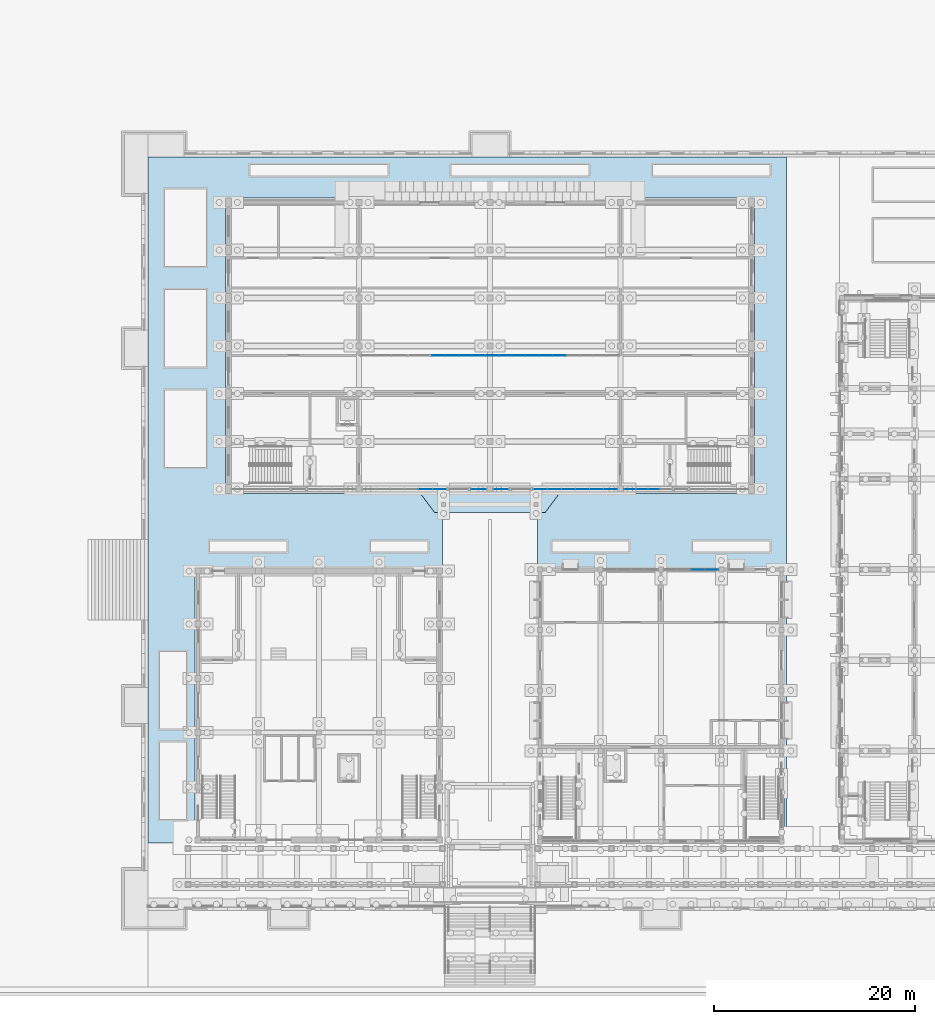
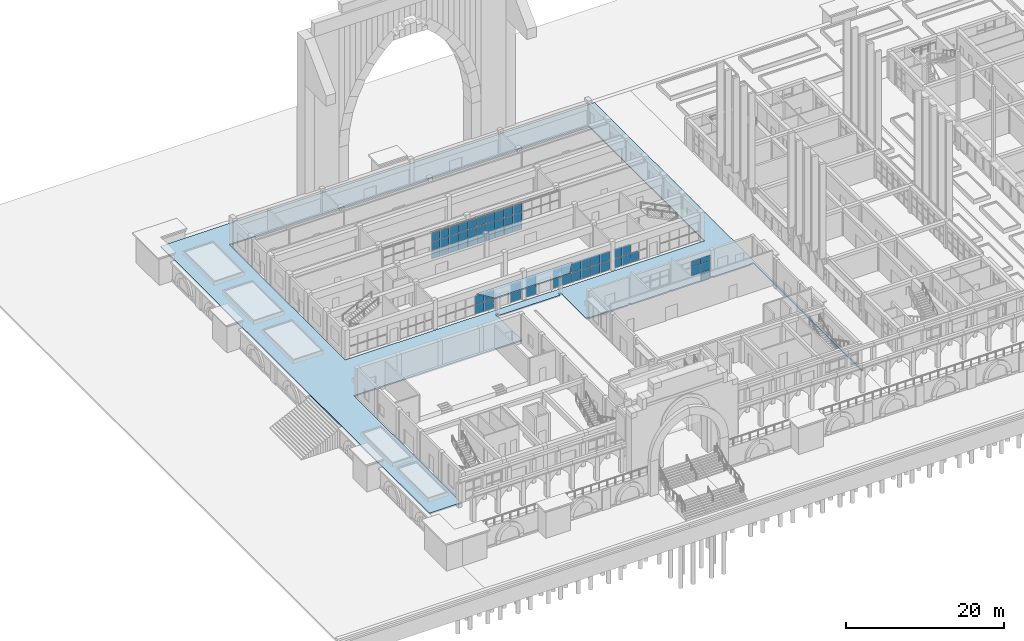
# One storey, part 42 of 161: 60 plates, 2 slabs, 7 elements without a shape of their own.
"""IFC4 building model written with IfcOpenShell, lengths in metres."""

from ifc_helpers import new_model, si_unit, direction, frame, origin, origin_2d, place, context, subcontext, project, spatial, polyline, rectangle, outline, extrude, material, layer, layer_set, type_object, element, aggregate, save


model = new_model("IFC4")

# Units and contexts
model_context = context("Model", 3, precision=1e-05, world=origin(), true_north=direction((0.0, 1.0)))
body_context = subcontext(model_context, "Body", "Model", "MODEL_VIEW")
ifc_project = project(units=[si_unit("LENGTHUNIT", "METRE"), si_unit("AREAUNIT", "SQUARE_METRE"), si_unit("VOLUMEUNIT", "CUBIC_METRE"), si_unit("PLANEANGLEUNIT", "RADIAN"), si_unit("MASSUNIT", "GRAM", prefix="KILO")], contexts=[model_context])

# Site, building, storey
site_placement = place(None, origin())
site = spatial("IfcSite", under=ifc_project, at=site_placement, CompositionType="ELEMENT")
building_placement = place(site_placement, origin())
building = spatial("IfcBuilding", under=site, at=building_placement, Name="Elbe Cascade School", CompositionType="ELEMENT")
storey_placement = place(building_placement, origin())
storey = spatial("IfcBuildingStorey", under=building, at=storey_placement, Name="L00", CompositionType="ELEMENT", Elevation=0.0)

# Curtain wall, plates
ifc_material_1 = material(Name="Dining curtain wall")
curtain_wall_type_1 = type_object("IfcCurtainWallType", Name="Dining curtain wall", PredefinedType="NOTDEFINED", material=ifc_material_1)
curtain_wall_1_placement = place(storey_placement, origin())
curtain_wall_1 = element("IfcCurtainWall", 1, at=curtain_wall_1_placement, inside=storey, type_object=curtain_wall_type_1, Name="Curtain wall CW2 DI.L00.cw.hn2", PredefinedType="NOTDEFINED")
ifc_material_2 = material(Name="Glass - double glazed low-E", Category="glass")
ifc_layer_1 = layer(ifc_material_2, 0.028076171875)
ifc_layer_set_1 = layer_set([ifc_layer_1], Name="Glass - double glazed low-E")
plate_type_1 = type_object("IfcPlateType", Name="Dining curtain wall glazing panel 28", PredefinedType="CURTAIN_PANEL", material=ifc_layer_set_1)
plate_1_placement = place(storey_placement, frame((54.6875, 33.0, 1.3798828125), z_axis=(0.0, 0.0, 1.0), x_axis=(1.0, 0.0, 0.0)))
plate_1 = element("IfcPlate", 2, at=plate_1_placement, type_object=plate_type_1, Name="CW2 panel 3.2", PredefinedType="CURTAIN_PANEL", context=body_context, shape_type="SweptSolid", body=[
    extrude(rectangle(XDim=1.31494140625, YDim=0.028076171875, at=origin_2d()), origin(), (0.0, 0.0, 1.0), 1.2900390625),
])
plate_2_placement = place(storey_placement, frame((54.6875, 33.0, 2.72998046875), z_axis=(0.0, 0.0, 1.0), x_axis=(1.0, 0.0, 0.0)))
plate_2 = element("IfcPlate", 3, at=plate_2_placement, type_object=plate_type_1, Name="CW2 panel 3.3", PredefinedType="CURTAIN_PANEL", context=body_context, shape_type="SweptSolid", body=[
    extrude(rectangle(XDim=1.31494140625, YDim=0.028076171875, at=origin_2d()), origin(), (0.0, 0.0, 1.0), 0.909912109375),
])
plate_3_placement = place(storey_placement, frame((56.047607421875, 33.0, 0.06005859375), z_axis=(0.0, 0.0, 1.0), x_axis=(1.0, 0.0, 0.0)))
plate_3 = element("IfcPlate", 4, at=plate_3_placement, type_object=plate_type_1, Name="CW2 panel 4.1", PredefinedType="CURTAIN_PANEL", context=body_context, shape_type="SweptSolid", body=[
    extrude(rectangle(XDim=1.284912109375, YDim=0.028076171875, at=origin_2d()), origin(), (0.0, 0.0, 1.0), 1.260009765625),
])
plate_4_placement = place(storey_placement, frame((56.047607421875, 33.0, 1.3798828125), z_axis=(0.0, 0.0, 1.0), x_axis=(1.0, 0.0, 0.0)))
plate_4 = element("IfcPlate", 5, at=plate_4_placement, type_object=plate_type_1, Name="CW2 panel 4.2", PredefinedType="CURTAIN_PANEL", context=body_context, shape_type="SweptSolid", body=[
    extrude(rectangle(XDim=1.284912109375, YDim=0.028076171875, at=origin_2d()), origin(), (0.0, 0.0, 1.0), 1.2900390625),
])
plate_5_placement = place(storey_placement, frame((56.047607421875, 33.0, 2.72998046875), z_axis=(0.0, 0.0, 1.0), x_axis=(1.0, 0.0, 0.0)))
plate_5 = element("IfcPlate", 6, at=plate_5_placement, type_object=plate_type_1, Name="CW2 panel 4.3", PredefinedType="CURTAIN_PANEL", context=body_context, shape_type="SweptSolid", body=[
    extrude(rectangle(XDim=1.284912109375, YDim=0.028076171875, at=origin_2d()), origin(), (0.0, 0.0, 1.0), 0.909912109375),
])
aggregate(curtain_wall_1, [plate_1, plate_2, plate_3, plate_4, plate_5])

# Slab
ifc_material_3 = material(Name="Concrete C30/37", Category="concrete")
ifc_layer_2 = layer(ifc_material_3, 0.199951171875)
ifc_layer_set_2 = layer_set([ifc_layer_2], Name="Concrete C30/37")
slab_type_1 = type_object("IfcSlabType", Name="Hall entrance canopy slab Concrete C30/37", PredefinedType="ROOF", material=ifc_layer_set_2)
slab_1_placement = place(storey_placement, frame((0.0, 0.0, 3.199951171875)))
element("IfcSlab", 7, at=slab_1_placement, inside=storey, type_object=slab_type_1, Name="Entrance canopy slab", PredefinedType="ROOF", context=body_context, shape_type="SweptSolid", body=[
    extrude(outline(polyline([(27.0, 40.699951171875), (41.0, 40.699951171875), (39.5, 38.699951171875), (28.5, 38.699951171875), (27.0, 40.699951171875)])), origin(), (0.0, 0.0, 1.0), 0.199951171875),
])

# Curtain wall, plates
ifc_material_4 = material(Name="Glass - double glazed low-E", Category="glass")
curtain_wall_type_2 = type_object("IfcCurtainWallType", Name="Hall gable curtain wall", PredefinedType="NOTDEFINED", material=ifc_material_4)
curtain_wall_2_placement = place(storey_placement, origin())
curtain_wall_2 = element("IfcCurtainWall", 8, at=curtain_wall_2_placement, inside=storey, type_object=curtain_wall_type_2, Name="Entrance front curtain wall 3", PredefinedType="NOTDEFINED")
ifc_material_5 = material(Name="Glass - double glazed low-E", Category="glass")
ifc_layer_3 = layer(ifc_material_5, 0.028076171875)
ifc_layer_set_3 = layer_set([ifc_layer_3], Name="Glass - double glazed low-E")
plate_type_2 = type_object("IfcPlateType", Name="Hall gable glass panel", PredefinedType="CURTAIN_PANEL", material=ifc_layer_set_3)
plate_6_placement = place(storey_placement, frame((27.60009765625, 41.0, 0.06005859375), z_axis=(0.0, 0.0, 1.0), x_axis=(1.0, 0.0, 0.0)))
plate_6 = element("IfcPlate", 9, at=plate_6_placement, type_object=plate_type_2, Name="CW6 panel 5.1", PredefinedType="CURTAIN_PANEL", context=body_context, shape_type="SweptSolid", body=[
    extrude(rectangle(XDim=1.340087890625, YDim=0.028076171875, at=origin_2d()), origin(), (0.0, 0.0, 1.0), 1.43505859375),
])
plate_7_placement = place(storey_placement, frame((27.60009765625, 41.0, 1.554931640625), z_axis=(0.0, 0.0, 1.0), x_axis=(1.0, 0.0, 0.0)))
plate_7 = element("IfcPlate", 10, at=plate_7_placement, type_object=plate_type_2, Name="CW6 panel 5.2", PredefinedType="CURTAIN_PANEL", context=body_context, shape_type="SweptSolid", body=[
    extrude(rectangle(XDim=1.340087890625, YDim=0.028076171875, at=origin_2d()), origin(), (0.0, 0.0, 1.0), 1.43505859375),
])
plate_8_placement = place(storey_placement, frame((28.985107421875, 41.0, 0.06005859375), z_axis=(0.0, 0.0, 1.0), x_axis=(1.0, 0.0, 0.0)))
plate_8 = element("IfcPlate", 11, at=plate_8_placement, type_object=plate_type_2, Name="CW6 panel 6.1", PredefinedType="CURTAIN_PANEL", context=body_context, shape_type="SweptSolid", body=[
    extrude(rectangle(XDim=1.31005859375, YDim=0.028076171875, at=origin_2d()), origin(), (0.0, 0.0, 1.0), 1.43505859375),
])
plate_9_placement = place(storey_placement, frame((28.985107421875, 41.0, 1.554931640625), z_axis=(0.0, 0.0, 1.0), x_axis=(1.0, 0.0, 0.0)))
plate_9 = element("IfcPlate", 12, at=plate_9_placement, type_object=plate_type_2, Name="CW6 panel 6.2", PredefinedType="CURTAIN_PANEL", context=body_context, shape_type="SweptSolid", body=[
    extrude(rectangle(XDim=1.31005859375, YDim=0.028076171875, at=origin_2d()), origin(), (0.0, 0.0, 1.0), 1.43505859375),
])
aggregate(curtain_wall_2, [plate_6, plate_7, plate_8, plate_9])

curtain_wall_3_placement = place(storey_placement, origin())
curtain_wall_3 = element("IfcCurtainWall", 13, at=curtain_wall_3_placement, inside=storey, type_object=curtain_wall_type_2, Name="Entrance front curtain wall 4", PredefinedType="NOTDEFINED")
plate_10_placement = place(storey_placement, frame((32.89990234375, 41.0, 0.06005859375), z_axis=(0.0, 0.0, 1.0), x_axis=(1.0, 0.0, 0.0)))
plate_10 = element("IfcPlate", 14, at=plate_10_placement, type_object=plate_type_2, Name="CW6 panel 1.1", PredefinedType="CURTAIN_PANEL", context=body_context, shape_type="SweptSolid", body=[
    extrude(rectangle(XDim=1.47998046875, YDim=0.028076171875, at=origin_2d()), origin(), (0.0, 0.0, 1.0), 1.43505859375),
])
plate_11_placement = place(storey_placement, frame((32.89990234375, 41.0, 1.554931640625), z_axis=(0.0, 0.0, 1.0), x_axis=(1.0, 0.0, 0.0)))
plate_11 = element("IfcPlate", 15, at=plate_11_placement, type_object=plate_type_2, Name="CW6 panel 1.2", PredefinedType="CURTAIN_PANEL", context=body_context, shape_type="SweptSolid", body=[
    extrude(rectangle(XDim=1.47998046875, YDim=0.028076171875, at=origin_2d()), origin(), (0.0, 0.0, 1.0), 1.43505859375),
])
aggregate(curtain_wall_3, [plate_10, plate_11])

curtain_wall_4_placement = place(storey_placement, origin())
curtain_wall_4 = element("IfcCurtainWall", 16, at=curtain_wall_4_placement, inside=storey, type_object=curtain_wall_type_2, Name="Entrance front curtain wall 5", PredefinedType="NOTDEFINED")
plate_12_placement = place(storey_placement, frame((35.10009765625, 41.0, 0.06005859375), z_axis=(0.0, 0.0, 1.0), x_axis=(1.0, 0.0, 0.0)))
plate_12 = element("IfcPlate", 17, at=plate_12_placement, type_object=plate_type_2, Name="CW6 panel 1.1", PredefinedType="CURTAIN_PANEL", context=body_context, shape_type="SweptSolid", body=[
    extrude(rectangle(XDim=1.47998046875, YDim=0.028076171875, at=origin_2d()), origin(), (0.0, 0.0, 1.0), 1.43505859375),
])
plate_13_placement = place(storey_placement, frame((35.10009765625, 41.0, 1.554931640625), z_axis=(0.0, 0.0, 1.0), x_axis=(1.0, 0.0, 0.0)))
plate_13 = element("IfcPlate", 18, at=plate_13_placement, type_object=plate_type_2, Name="CW6 panel 1.2", PredefinedType="CURTAIN_PANEL", context=body_context, shape_type="SweptSolid", body=[
    extrude(rectangle(XDim=1.47998046875, YDim=0.028076171875, at=origin_2d()), origin(), (0.0, 0.0, 1.0), 1.43505859375),
])
aggregate(curtain_wall_4, [plate_12, plate_13])

curtain_wall_5_placement = place(storey_placement, origin())
curtain_wall_5 = element("IfcCurtainWall", 19, at=curtain_wall_5_placement, inside=storey, type_object=curtain_wall_type_2, Name="Entrance front curtain wall 6", PredefinedType="NOTDEFINED")
plate_14_placement = place(storey_placement, frame((39.014892578125, 41.0, 0.06005859375), z_axis=(0.0, 0.0, 1.0), x_axis=(1.0, 0.0, 0.0)))
plate_14 = element("IfcPlate", 20, at=plate_14_placement, type_object=plate_type_2, Name="CW6 panel 1.1", PredefinedType="CURTAIN_PANEL", context=body_context, shape_type="SweptSolid", body=[
    extrude(rectangle(XDim=1.31005859375, YDim=0.028076171875, at=origin_2d()), origin(), (0.0, 0.0, 1.0), 1.43505859375),
])
plate_15_placement = place(storey_placement, frame((39.014892578125, 41.0, 1.554931640625), z_axis=(0.0, 0.0, 1.0), x_axis=(1.0, 0.0, 0.0)))
plate_15 = element("IfcPlate", 21, at=plate_15_placement, type_object=plate_type_2, Name="CW6 panel 1.2", PredefinedType="CURTAIN_PANEL", context=body_context, shape_type="SweptSolid", body=[
    extrude(rectangle(XDim=1.31005859375, YDim=0.028076171875, at=origin_2d()), origin(), (0.0, 0.0, 1.0), 1.43505859375),
])
plate_16_placement = place(storey_placement, frame((40.39990234375, 41.0, 0.06005859375), z_axis=(0.0, 0.0, 1.0), x_axis=(1.0, 0.0, 0.0)))
plate_16 = element("IfcPlate", 22, at=plate_16_placement, type_object=plate_type_2, Name="CW6 panel 2.1", PredefinedType="CURTAIN_PANEL", context=body_context, shape_type="SweptSolid", body=[
    extrude(rectangle(XDim=1.340087890625, YDim=0.028076171875, at=origin_2d()), origin(), (0.0, 0.0, 1.0), 1.43505859375),
])
plate_17_placement = place(storey_placement, frame((40.39990234375, 41.0, 1.554931640625), z_axis=(0.0, 0.0, 1.0), x_axis=(1.0, 0.0, 0.0)))
plate_17 = element("IfcPlate", 23, at=plate_17_placement, type_object=plate_type_2, Name="CW6 panel 2.2", PredefinedType="CURTAIN_PANEL", context=body_context, shape_type="SweptSolid", body=[
    extrude(rectangle(XDim=1.340087890625, YDim=0.028076171875, at=origin_2d()), origin(), (0.0, 0.0, 1.0), 1.43505859375),
])
plate_18_placement = place(storey_placement, frame((41.800048828125, 41.0, 0.06005859375), z_axis=(0.0, 0.0, 1.0), x_axis=(1.0, 0.0, 0.0)))
plate_18 = element("IfcPlate", 24, at=plate_18_placement, type_object=plate_type_2, Name="CW6 panel 3.1", PredefinedType="CURTAIN_PANEL", context=body_context, shape_type="SweptSolid", body=[
    extrude(rectangle(XDim=1.340087890625, YDim=0.028076171875, at=origin_2d()), origin(), (0.0, 0.0, 1.0), 1.43505859375),
])
plate_19_placement = place(storey_placement, frame((41.800048828125, 41.0, 1.554931640625), z_axis=(0.0, 0.0, 1.0), x_axis=(1.0, 0.0, 0.0)))
plate_19 = element("IfcPlate", 25, at=plate_19_placement, type_object=plate_type_2, Name="CW6 panel 3.2", PredefinedType="CURTAIN_PANEL", context=body_context, shape_type="SweptSolid", body=[
    extrude(rectangle(XDim=1.340087890625, YDim=0.028076171875, at=origin_2d()), origin(), (0.0, 0.0, 1.0), 1.43505859375),
])
plate_20_placement = place(storey_placement, frame((43.199951171875, 41.0, 0.06005859375), z_axis=(0.0, 0.0, 1.0), x_axis=(1.0, 0.0, 0.0)))
plate_20 = element("IfcPlate", 26, at=plate_20_placement, type_object=plate_type_2, Name="CW6 panel 4.1", PredefinedType="CURTAIN_PANEL", context=body_context, shape_type="SweptSolid", body=[
    extrude(rectangle(XDim=1.340087890625, YDim=0.028076171875, at=origin_2d()), origin(), (0.0, 0.0, 1.0), 1.43505859375),
])
plate_21_placement = place(storey_placement, frame((43.199951171875, 41.0, 1.554931640625), z_axis=(0.0, 0.0, 1.0), x_axis=(1.0, 0.0, 0.0)))
plate_21 = element("IfcPlate", 27, at=plate_21_placement, type_object=plate_type_2, Name="CW6 panel 4.2", PredefinedType="CURTAIN_PANEL", context=body_context, shape_type="SweptSolid", body=[
    extrude(rectangle(XDim=1.340087890625, YDim=0.028076171875, at=origin_2d()), origin(), (0.0, 0.0, 1.0), 1.43505859375),
])
plate_22_placement = place(storey_placement, frame((44.60009765625, 41.0, 0.06005859375), z_axis=(0.0, 0.0, 1.0), x_axis=(1.0, 0.0, 0.0)))
plate_22 = element("IfcPlate", 28, at=plate_22_placement, type_object=plate_type_2, Name="CW6 panel 5.1", PredefinedType="CURTAIN_PANEL", context=body_context, shape_type="SweptSolid", body=[
    extrude(rectangle(XDim=1.340087890625, YDim=0.028076171875, at=origin_2d()), origin(), (0.0, 0.0, 1.0), 1.43505859375),
])
plate_23_placement = place(storey_placement, frame((44.60009765625, 41.0, 1.554931640625), z_axis=(0.0, 0.0, 1.0), x_axis=(1.0, 0.0, 0.0)))
plate_23 = element("IfcPlate", 29, at=plate_23_placement, type_object=plate_type_2, Name="CW6 panel 5.2", PredefinedType="CURTAIN_PANEL", context=body_context, shape_type="SweptSolid", body=[
    extrude(rectangle(XDim=1.340087890625, YDim=0.028076171875, at=origin_2d()), origin(), (0.0, 0.0, 1.0), 1.43505859375),
])
plate_24_placement = place(storey_placement, frame((45.985107421875, 41.0, 0.06005859375), z_axis=(0.0, 0.0, 1.0), x_axis=(1.0, 0.0, 0.0)))
plate_24 = element("IfcPlate", 30, at=plate_24_placement, type_object=plate_type_2, Name="CW6 panel 6.1", PredefinedType="CURTAIN_PANEL", context=body_context, shape_type="SweptSolid", body=[
    extrude(rectangle(XDim=1.31005859375, YDim=0.028076171875, at=origin_2d()), origin(), (0.0, 0.0, 1.0), 1.43505859375),
])
plate_25_placement = place(storey_placement, frame((45.985107421875, 41.0, 1.554931640625), z_axis=(0.0, 0.0, 1.0), x_axis=(1.0, 0.0, 0.0)))
plate_25 = element("IfcPlate", 31, at=plate_25_placement, type_object=plate_type_2, Name="CW6 panel 6.2", PredefinedType="CURTAIN_PANEL", context=body_context, shape_type="SweptSolid", body=[
    extrude(rectangle(XDim=1.31005859375, YDim=0.028076171875, at=origin_2d()), origin(), (0.0, 0.0, 1.0), 1.43505859375),
])
aggregate(curtain_wall_5, [plate_14, plate_15, plate_16, plate_17, plate_18, plate_19, plate_20, plate_21, plate_22, plate_23, plate_24, plate_25])

curtain_wall_6_placement = place(storey_placement, origin())
curtain_wall_6 = element("IfcCurtainWall", 32, at=curtain_wall_6_placement, inside=storey, type_object=curtain_wall_type_2, Name="Entrance front curtain wall 7", PredefinedType="NOTDEFINED")
plate_26_placement = place(storey_placement, frame((47.9150390625, 41.0, 0.06005859375), z_axis=(0.0, 0.0, 1.0), x_axis=(1.0, 0.0, 0.0)))
plate_26 = element("IfcPlate", 33, at=plate_26_placement, type_object=plate_type_2, Name="CW6 panel 1.1", PredefinedType="CURTAIN_PANEL", context=body_context, shape_type="SweptSolid", body=[
    extrude(rectangle(XDim=1.110107421875, YDim=0.028076171875, at=origin_2d()), origin(), (0.0, 0.0, 1.0), 1.43505859375),
])
plate_27_placement = place(storey_placement, frame((47.9150390625, 41.0, 1.554931640625), z_axis=(0.0, 0.0, 1.0), x_axis=(1.0, 0.0, 0.0)))
plate_27 = element("IfcPlate", 34, at=plate_27_placement, type_object=plate_type_2, Name="CW6 panel 1.2", PredefinedType="CURTAIN_PANEL", context=body_context, shape_type="SweptSolid", body=[
    extrude(rectangle(XDim=1.110107421875, YDim=0.028076171875, at=origin_2d()), origin(), (0.0, 0.0, 1.0), 1.43505859375),
])
plate_28_placement = place(storey_placement, frame((49.10009765625, 41.0, 0.06005859375), z_axis=(0.0, 0.0, 1.0), x_axis=(1.0, 0.0, 0.0)))
plate_28 = element("IfcPlate", 35, at=plate_28_placement, type_object=plate_type_2, Name="CW6 panel 2.1", PredefinedType="CURTAIN_PANEL", context=body_context, shape_type="SweptSolid", body=[
    extrude(rectangle(XDim=1.139892578125, YDim=0.028076171875, at=origin_2d()), origin(), (0.0, 0.0, 1.0), 1.43505859375),
])
plate_29_placement = place(storey_placement, frame((49.10009765625, 41.0, 1.554931640625), z_axis=(0.0, 0.0, 1.0), x_axis=(1.0, 0.0, 0.0)))
plate_29 = element("IfcPlate", 36, at=plate_29_placement, type_object=plate_type_2, Name="CW6 panel 2.2", PredefinedType="CURTAIN_PANEL", context=body_context, shape_type="SweptSolid", body=[
    extrude(rectangle(XDim=1.139892578125, YDim=0.028076171875, at=origin_2d()), origin(), (0.0, 0.0, 1.0), 1.43505859375),
])
plate_30_placement = place(storey_placement, frame((50.300048828125, 41.0, 0.06005859375), z_axis=(0.0, 0.0, 1.0), x_axis=(1.0, 0.0, 0.0)))
plate_30 = element("IfcPlate", 37, at=plate_30_placement, type_object=plate_type_2, Name="CW6 panel 3.1", PredefinedType="CURTAIN_PANEL", context=body_context, shape_type="SweptSolid", body=[
    extrude(rectangle(XDim=1.139892578125, YDim=0.028076171875, at=origin_2d()), origin(), (0.0, 0.0, 1.0), 1.43505859375),
])
aggregate(curtain_wall_6, [plate_26, plate_27, plate_28, plate_29, plate_30])

curtain_wall_7_placement = place(storey_placement, origin())
curtain_wall_7 = element("IfcCurtainWall", 38, at=curtain_wall_7_placement, inside=storey, type_object=curtain_wall_type_2, Name="Studio front curtain wall 2", PredefinedType="NOTDEFINED")
plate_31_placement = place(storey_placement, frame((28.8828125, 54.300048828125, 0.06005859375), z_axis=(0.0, 0.0, 1.0), x_axis=(1.0, 0.0, 0.0)))
plate_31 = element("IfcPlate", 39, at=plate_31_placement, type_object=plate_type_2, Name="CW6 panel 1.1", PredefinedType="CURTAIN_PANEL", context=body_context, shape_type="SweptSolid", body=[
    extrude(rectangle(XDim=1.24560546875, YDim=0.028076171875, at=origin_2d()), origin(), (0.0, 0.0, 1.0), 1.293212890625),
])
plate_32_placement = place(storey_placement, frame((28.8828125, 54.300048828125, 1.4130859375), z_axis=(0.0, 0.0, 1.0), x_axis=(1.0, 0.0, 0.0)))
plate_32 = element("IfcPlate", 40, at=plate_32_placement, type_object=plate_type_2, Name="CW6 panel 1.2", PredefinedType="CURTAIN_PANEL", context=body_context, shape_type="SweptSolid", body=[
    extrude(rectangle(XDim=1.24560546875, YDim=0.028076171875, at=origin_2d()), origin(), (0.0, 0.0, 1.0), 1.323486328125),
])
plate_33_placement = place(storey_placement, frame((28.8828125, 54.300048828125, 2.796875), z_axis=(0.0, 0.0, 1.0), x_axis=(1.0, 0.0, 0.0)))
plate_33 = element("IfcPlate", 41, at=plate_33_placement, type_object=plate_type_2, Name="CW6 panel 1.3", PredefinedType="CURTAIN_PANEL", context=body_context, shape_type="SweptSolid", body=[
    extrude(rectangle(XDim=1.24560546875, YDim=0.028076171875, at=origin_2d()), origin(), (0.0, 0.0, 1.0), 1.293212890625),
])
plate_34_placement = place(storey_placement, frame((30.20361328125, 54.300048828125, 0.06005859375), z_axis=(0.0, 0.0, 1.0), x_axis=(1.0, 0.0, 0.0)))
plate_34 = element("IfcPlate", 42, at=plate_34_placement, type_object=plate_type_2, Name="CW6 panel 2.1", PredefinedType="CURTAIN_PANEL", context=body_context, shape_type="SweptSolid", body=[
    extrude(rectangle(XDim=1.275634765625, YDim=0.028076171875, at=origin_2d()), origin(), (0.0, 0.0, 1.0), 1.293212890625),
])
plate_35_placement = place(storey_placement, frame((30.20361328125, 54.300048828125, 1.4130859375), z_axis=(0.0, 0.0, 1.0), x_axis=(1.0, 0.0, 0.0)))
plate_35 = element("IfcPlate", 43, at=plate_35_placement, type_object=plate_type_2, Name="CW6 panel 2.2", PredefinedType="CURTAIN_PANEL", context=body_context, shape_type="SweptSolid", body=[
    extrude(rectangle(XDim=1.275634765625, YDim=0.028076171875, at=origin_2d()), origin(), (0.0, 0.0, 1.0), 1.323486328125),
])
plate_36_placement = place(storey_placement, frame((30.20361328125, 54.300048828125, 2.796875), z_axis=(0.0, 0.0, 1.0), x_axis=(1.0, 0.0, 0.0)))
plate_36 = element("IfcPlate", 44, at=plate_36_placement, type_object=plate_type_2, Name="CW6 panel 2.3", PredefinedType="CURTAIN_PANEL", context=body_context, shape_type="SweptSolid", body=[
    extrude(rectangle(XDim=1.275634765625, YDim=0.028076171875, at=origin_2d()), origin(), (0.0, 0.0, 1.0), 1.293212890625),
])
plate_37_placement = place(storey_placement, frame((31.539306640625, 54.300048828125, 0.06005859375), z_axis=(0.0, 0.0, 1.0), x_axis=(1.0, 0.0, 0.0)))
plate_37 = element("IfcPlate", 45, at=plate_37_placement, type_object=plate_type_2, Name="CW6 panel 3.1", PredefinedType="CURTAIN_PANEL", context=body_context, shape_type="SweptSolid", body=[
    extrude(rectangle(XDim=1.275634765625, YDim=0.028076171875, at=origin_2d()), origin(), (0.0, 0.0, 1.0), 1.293212890625),
])
plate_38_placement = place(storey_placement, frame((31.539306640625, 54.300048828125, 1.4130859375), z_axis=(0.0, 0.0, 1.0), x_axis=(1.0, 0.0, 0.0)))
plate_38 = element("IfcPlate", 46, at=plate_38_placement, type_object=plate_type_2, Name="CW6 panel 3.2", PredefinedType="CURTAIN_PANEL", context=body_context, shape_type="SweptSolid", body=[
    extrude(rectangle(XDim=1.275634765625, YDim=0.028076171875, at=origin_2d()), origin(), (0.0, 0.0, 1.0), 1.323486328125),
])
plate_39_placement = place(storey_placement, frame((31.539306640625, 54.300048828125, 2.796875), z_axis=(0.0, 0.0, 1.0), x_axis=(1.0, 0.0, 0.0)))
plate_39 = element("IfcPlate", 47, at=plate_39_placement, type_object=plate_type_2, Name="CW6 panel 3.3", PredefinedType="CURTAIN_PANEL", context=body_context, shape_type="SweptSolid", body=[
    extrude(rectangle(XDim=1.275634765625, YDim=0.028076171875, at=origin_2d()), origin(), (0.0, 0.0, 1.0), 1.293212890625),
])
plate_40_placement = place(storey_placement, frame((32.875, 54.300048828125, 0.06005859375), z_axis=(0.0, 0.0, 1.0), x_axis=(1.0, 0.0, 0.0)))
plate_40 = element("IfcPlate", 48, at=plate_40_placement, type_object=plate_type_2, Name="CW6 panel 4.1", PredefinedType="CURTAIN_PANEL", context=body_context, shape_type="SweptSolid", body=[
    extrude(rectangle(XDim=1.275634765625, YDim=0.028076171875, at=origin_2d()), origin(), (0.0, 0.0, 1.0), 1.293212890625),
])
plate_41_placement = place(storey_placement, frame((32.875, 54.300048828125, 1.4130859375), z_axis=(0.0, 0.0, 1.0), x_axis=(1.0, 0.0, 0.0)))
plate_41 = element("IfcPlate", 49, at=plate_41_placement, type_object=plate_type_2, Name="CW6 panel 4.2", PredefinedType="CURTAIN_PANEL", context=body_context, shape_type="SweptSolid", body=[
    extrude(rectangle(XDim=1.275634765625, YDim=0.028076171875, at=origin_2d()), origin(), (0.0, 0.0, 1.0), 1.323486328125),
])
plate_42_placement = place(storey_placement, frame((32.875, 54.300048828125, 2.796875), z_axis=(0.0, 0.0, 1.0), x_axis=(1.0, 0.0, 0.0)))
plate_42 = element("IfcPlate", 50, at=plate_42_placement, type_object=plate_type_2, Name="CW6 panel 4.3", PredefinedType="CURTAIN_PANEL", context=body_context, shape_type="SweptSolid", body=[
    extrude(rectangle(XDim=1.275634765625, YDim=0.028076171875, at=origin_2d()), origin(), (0.0, 0.0, 1.0), 1.293212890625),
])
plate_43_placement = place(storey_placement, frame((34.210693359375, 54.300048828125, 0.06005859375), z_axis=(0.0, 0.0, 1.0), x_axis=(1.0, 0.0, 0.0)))
plate_43 = element("IfcPlate", 51, at=plate_43_placement, type_object=plate_type_2, Name="CW6 panel 5.1", PredefinedType="CURTAIN_PANEL", context=body_context, shape_type="SweptSolid", body=[
    extrude(rectangle(XDim=1.275634765625, YDim=0.028076171875, at=origin_2d()), origin(), (0.0, 0.0, 1.0), 1.293212890625),
])
plate_44_placement = place(storey_placement, frame((34.210693359375, 54.300048828125, 1.4130859375), z_axis=(0.0, 0.0, 1.0), x_axis=(1.0, 0.0, 0.0)))
plate_44 = element("IfcPlate", 52, at=plate_44_placement, type_object=plate_type_2, Name="CW6 panel 5.2", PredefinedType="CURTAIN_PANEL", context=body_context, shape_type="SweptSolid", body=[
    extrude(rectangle(XDim=1.275634765625, YDim=0.028076171875, at=origin_2d()), origin(), (0.0, 0.0, 1.0), 1.323486328125),
])
plate_45_placement = place(storey_placement, frame((34.210693359375, 54.300048828125, 2.796875), z_axis=(0.0, 0.0, 1.0), x_axis=(1.0, 0.0, 0.0)))
plate_45 = element("IfcPlate", 53, at=plate_45_placement, type_object=plate_type_2, Name="CW6 panel 5.3", PredefinedType="CURTAIN_PANEL", context=body_context, shape_type="SweptSolid", body=[
    extrude(rectangle(XDim=1.275634765625, YDim=0.028076171875, at=origin_2d()), origin(), (0.0, 0.0, 1.0), 1.293212890625),
])
plate_46_placement = place(storey_placement, frame((35.54638671875, 54.300048828125, 0.06005859375), z_axis=(0.0, 0.0, 1.0), x_axis=(1.0, 0.0, 0.0)))
plate_46 = element("IfcPlate", 54, at=plate_46_placement, type_object=plate_type_2, Name="CW6 panel 6.1", PredefinedType="CURTAIN_PANEL", context=body_context, shape_type="SweptSolid", body=[
    extrude(rectangle(XDim=1.275634765625, YDim=0.028076171875, at=origin_2d()), origin(), (0.0, 0.0, 1.0), 1.293212890625),
])
plate_47_placement = place(storey_placement, frame((35.54638671875, 54.300048828125, 1.4130859375), z_axis=(0.0, 0.0, 1.0), x_axis=(1.0, 0.0, 0.0)))
plate_47 = element("IfcPlate", 55, at=plate_47_placement, type_object=plate_type_2, Name="CW6 panel 6.2", PredefinedType="CURTAIN_PANEL", context=body_context, shape_type="SweptSolid", body=[
    extrude(rectangle(XDim=1.275634765625, YDim=0.028076171875, at=origin_2d()), origin(), (0.0, 0.0, 1.0), 1.323486328125),
])
plate_48_placement = place(storey_placement, frame((35.54638671875, 54.300048828125, 2.796875), z_axis=(0.0, 0.0, 1.0), x_axis=(1.0, 0.0, 0.0)))
plate_48 = element("IfcPlate", 56, at=plate_48_placement, type_object=plate_type_2, Name="CW6 panel 6.3", PredefinedType="CURTAIN_PANEL", context=body_context, shape_type="SweptSolid", body=[
    extrude(rectangle(XDim=1.275634765625, YDim=0.028076171875, at=origin_2d()), origin(), (0.0, 0.0, 1.0), 1.293212890625),
])
plate_49_placement = place(storey_placement, frame((36.882080078125, 54.300048828125, 0.06005859375), z_axis=(0.0, 0.0, 1.0), x_axis=(1.0, 0.0, 0.0)))
plate_49 = element("IfcPlate", 57, at=plate_49_placement, type_object=plate_type_2, Name="CW6 panel 7.1", PredefinedType="CURTAIN_PANEL", context=body_context, shape_type="SweptSolid", body=[
    extrude(rectangle(XDim=1.275634765625, YDim=0.028076171875, at=origin_2d()), origin(), (0.0, 0.0, 1.0), 1.293212890625),
])
plate_50_placement = place(storey_placement, frame((36.882080078125, 54.300048828125, 1.4130859375), z_axis=(0.0, 0.0, 1.0), x_axis=(1.0, 0.0, 0.0)))
plate_50 = element("IfcPlate", 58, at=plate_50_placement, type_object=plate_type_2, Name="CW6 panel 7.2", PredefinedType="CURTAIN_PANEL", context=body_context, shape_type="SweptSolid", body=[
    extrude(rectangle(XDim=1.275634765625, YDim=0.028076171875, at=origin_2d()), origin(), (0.0, 0.0, 1.0), 1.323486328125),
])
plate_51_placement = place(storey_placement, frame((36.882080078125, 54.300048828125, 2.796875), z_axis=(0.0, 0.0, 1.0), x_axis=(1.0, 0.0, 0.0)))
plate_51 = element("IfcPlate", 59, at=plate_51_placement, type_object=plate_type_2, Name="CW6 panel 7.3", PredefinedType="CURTAIN_PANEL", context=body_context, shape_type="SweptSolid", body=[
    extrude(rectangle(XDim=1.275634765625, YDim=0.028076171875, at=origin_2d()), origin(), (0.0, 0.0, 1.0), 1.293212890625),
])
plate_52_placement = place(storey_placement, frame((38.2177734375, 54.300048828125, 0.06005859375), z_axis=(0.0, 0.0, 1.0), x_axis=(1.0, 0.0, 0.0)))
plate_52 = element("IfcPlate", 60, at=plate_52_placement, type_object=plate_type_2, Name="CW6 panel 8.1", PredefinedType="CURTAIN_PANEL", context=body_context, shape_type="SweptSolid", body=[
    extrude(rectangle(XDim=1.275634765625, YDim=0.028076171875, at=origin_2d()), origin(), (0.0, 0.0, 1.0), 1.293212890625),
])
plate_53_placement = place(storey_placement, frame((38.2177734375, 54.300048828125, 1.4130859375), z_axis=(0.0, 0.0, 1.0), x_axis=(1.0, 0.0, 0.0)))
plate_53 = element("IfcPlate", 61, at=plate_53_placement, type_object=plate_type_2, Name="CW6 panel 8.2", PredefinedType="CURTAIN_PANEL", context=body_context, shape_type="SweptSolid", body=[
    extrude(rectangle(XDim=1.275634765625, YDim=0.028076171875, at=origin_2d()), origin(), (0.0, 0.0, 1.0), 1.323486328125),
])
plate_54_placement = place(storey_placement, frame((38.2177734375, 54.300048828125, 2.796875), z_axis=(0.0, 0.0, 1.0), x_axis=(1.0, 0.0, 0.0)))
plate_54 = element("IfcPlate", 62, at=plate_54_placement, type_object=plate_type_2, Name="CW6 panel 8.3", PredefinedType="CURTAIN_PANEL", context=body_context, shape_type="SweptSolid", body=[
    extrude(rectangle(XDim=1.275634765625, YDim=0.028076171875, at=origin_2d()), origin(), (0.0, 0.0, 1.0), 1.293212890625),
])
plate_55_placement = place(storey_placement, frame((39.553466796875, 54.300048828125, 0.06005859375), z_axis=(0.0, 0.0, 1.0), x_axis=(1.0, 0.0, 0.0)))
plate_55 = element("IfcPlate", 63, at=plate_55_placement, type_object=plate_type_2, Name="CW6 panel 9.1", PredefinedType="CURTAIN_PANEL", context=body_context, shape_type="SweptSolid", body=[
    extrude(rectangle(XDim=1.275634765625, YDim=0.028076171875, at=origin_2d()), origin(), (0.0, 0.0, 1.0), 1.293212890625),
])
plate_56_placement = place(storey_placement, frame((39.553466796875, 54.300048828125, 1.4130859375), z_axis=(0.0, 0.0, 1.0), x_axis=(1.0, 0.0, 0.0)))
plate_56 = element("IfcPlate", 64, at=plate_56_placement, type_object=plate_type_2, Name="CW6 panel 9.2", PredefinedType="CURTAIN_PANEL", context=body_context, shape_type="SweptSolid", body=[
    extrude(rectangle(XDim=1.275634765625, YDim=0.028076171875, at=origin_2d()), origin(), (0.0, 0.0, 1.0), 1.323486328125),
])
plate_57_placement = place(storey_placement, frame((39.553466796875, 54.300048828125, 2.796875), z_axis=(0.0, 0.0, 1.0), x_axis=(1.0, 0.0, 0.0)))
plate_57 = element("IfcPlate", 65, at=plate_57_placement, type_object=plate_type_2, Name="CW6 panel 9.3", PredefinedType="CURTAIN_PANEL", context=body_context, shape_type="SweptSolid", body=[
    extrude(rectangle(XDim=1.275634765625, YDim=0.028076171875, at=origin_2d()), origin(), (0.0, 0.0, 1.0), 1.293212890625),
])
plate_58_placement = place(storey_placement, frame((40.889404296875, 54.300048828125, 0.06005859375), z_axis=(0.0, 0.0, 1.0), x_axis=(1.0, 0.0, 0.0)))
plate_58 = element("IfcPlate", 66, at=plate_58_placement, type_object=plate_type_2, Name="CW6 panel 10.1", PredefinedType="CURTAIN_PANEL", context=body_context, shape_type="SweptSolid", body=[
    extrude(rectangle(XDim=1.275634765625, YDim=0.028076171875, at=origin_2d()), origin(), (0.0, 0.0, 1.0), 1.293212890625),
])
plate_59_placement = place(storey_placement, frame((40.889404296875, 54.300048828125, 1.4130859375), z_axis=(0.0, 0.0, 1.0), x_axis=(1.0, 0.0, 0.0)))
plate_59 = element("IfcPlate", 67, at=plate_59_placement, type_object=plate_type_2, Name="CW6 panel 10.2", PredefinedType="CURTAIN_PANEL", context=body_context, shape_type="SweptSolid", body=[
    extrude(rectangle(XDim=1.275634765625, YDim=0.028076171875, at=origin_2d()), origin(), (0.0, 0.0, 1.0), 1.323486328125),
])
plate_60_placement = place(storey_placement, frame((40.889404296875, 54.300048828125, 2.796875), z_axis=(0.0, 0.0, 1.0), x_axis=(1.0, 0.0, 0.0)))
plate_60 = element("IfcPlate", 68, at=plate_60_placement, type_object=plate_type_2, Name="CW6 panel 10.3", PredefinedType="CURTAIN_PANEL", context=body_context, shape_type="SweptSolid", body=[
    extrude(rectangle(XDim=1.275634765625, YDim=0.028076171875, at=origin_2d()), origin(), (0.0, 0.0, 1.0), 1.293212890625),
])
aggregate(curtain_wall_7, [plate_31, plate_32, plate_33, plate_34, plate_35, plate_36, plate_37, plate_38, plate_39, plate_40, plate_41, plate_42, plate_43, plate_44, plate_45, plate_46, plate_47, plate_48, plate_49, plate_50, plate_51, plate_52, plate_53, plate_54, plate_55, plate_56, plate_57, plate_58, plate_59, plate_60])

# Slab
ifc_material_6 = material(Name="Concrete C30/37", Category="concrete")
ifc_layer_4 = layer(ifc_material_6, 0.199951171875)
ifc_layer_set_4 = layer_set([ifc_layer_4], Name="Concrete C30/37")
slab_type_2 = type_object("IfcSlabType", Name="Paving slab 200", PredefinedType="BASESLAB", material=ifc_layer_set_4)
slab_2_placement = place(storey_placement, frame((0.0, 0.0, -0.199951171875)))
element("IfcSlab", 69, at=slab_2_placement, inside=storey, type_object=slab_type_2, Name="West block paving", PredefinedType="BASESLAB", context=body_context, shape_type="SweptSolid", body=[
    extrude(outline(polyline([(0.0, 5.85009765625), (4.699951171875, 5.85009765625), (4.699951171875, 5.85009765625), (4.699951171875, 6.449951171875), (4.699951171875, 11.10009765625), (4.699951171875, 11.699951171875), (4.699951171875, 16.5), (4.699951171875, 17.10009765625), (4.699951171875, 21.89990234375), (4.699951171875, 22.5), (4.699951171875, 27.300048828125), (4.699951171875, 27.89990234375), (4.699951171875, 32.550048828125), (4.699951171875, 33.14990234375), (5.300048828125, 33.14990234375), (10.699951171875, 33.14990234375), (11.300048828125, 33.14990234375), (16.699951171875, 33.14990234375), (17.300048828125, 33.14990234375), (22.699951171875, 33.14990234375), (23.300048828125, 33.14990234375), (28.699951171875, 33.14990234375), (29.300048828125, 33.14990234375), (29.300048828125, 39.300048828125), (29.199951171875, 39.300048828125), (29.199951171875, 39.699951171875), (29.60009765625, 39.699951171875), (29.60009765625, 39.300048828125), (38.39990234375, 39.300048828125), (38.39990234375, 39.699951171875), (38.800048828125, 39.699951171875), (38.800048828125, 39.300048828125), (38.75, 39.300048828125), (38.75, 33.25), (39.25, 33.25), (39.25, 33.14990234375), (44.75, 33.14990234375), (44.75, 33.25), (45.25, 33.25), (45.25, 33.14990234375), (50.75, 33.14990234375), (50.75, 33.25), (51.25, 33.25), (51.25, 33.14990234375), (56.75, 33.14990234375), (56.75, 33.25), (57.25, 33.25), (57.25, 33.14990234375), (62.75, 33.14990234375), (62.75, 33.25), (63.25, 33.25), (63.25, 33.14990234375), (63.25, 32.75), (63.25, 27.25), (63.25, 26.75), (63.25, 21.25), (63.25, 20.75), (63.25, 15.25), (63.25, 14.75), (63.25, 6.25), (63.25, 5.85009765625), (63.5, 5.85009765625), (63.5, 74.0), (0.0, 74.0), (0.0, 5.85009765625)]), holes=[polyline([(7.699951171875, 45.300048828125), (7.699951171875, 46.199951171875), (7.699951171875, 50.050048828125), (7.699951171875, 50.949951171875), (7.699951171875, 54.800048828125), (7.699951171875, 55.699951171875), (7.699951171875, 59.550048828125), (7.699951171875, 60.449951171875), (7.699951171875, 64.300048828125), (7.699951171875, 65.199951171875), (7.699951171875, 69.050048828125), (7.699951171875, 69.949951171875), (8.300048828125, 69.949951171875), (59.699951171875, 69.949951171875), (60.300048828125, 69.949951171875), (60.300048828125, 69.050048828125), (60.300048828125, 65.199951171875), (60.300048828125, 64.300048828125), (60.300048828125, 60.449951171875), (60.300048828125, 59.550048828125), (60.300048828125, 55.699951171875), (60.300048828125, 54.800048828125), (60.300048828125, 50.949951171875), (60.300048828125, 50.050048828125), (60.300048828125, 46.199951171875), (60.300048828125, 45.300048828125), (60.300048828125, 41.449951171875), (60.300048828125, 40.550048828125), (59.699951171875, 40.550048828125), (8.300048828125, 40.550048828125), (7.699951171875, 40.550048828125), (7.699951171875, 41.449951171875), (7.699951171875, 45.300048828125)])]), origin(), (0.0, 0.0, 1.0), 0.199951171875),
])

save(model, "model.ifc")
